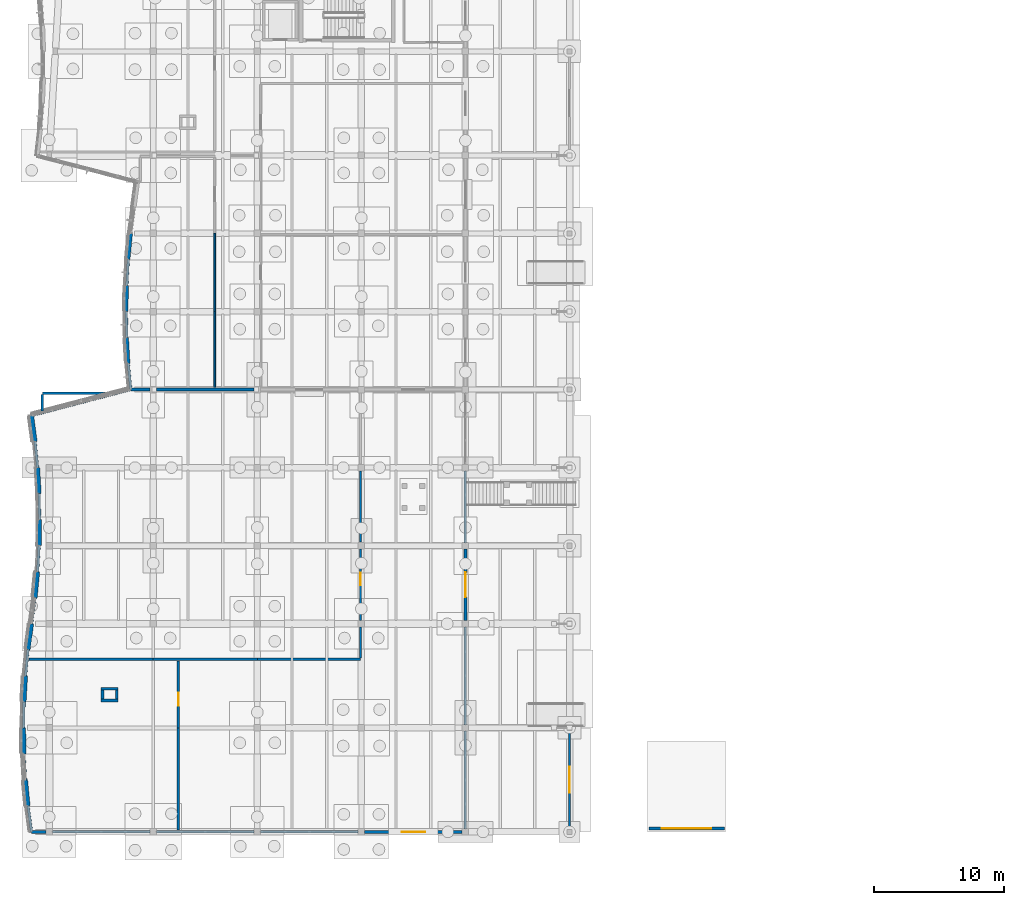
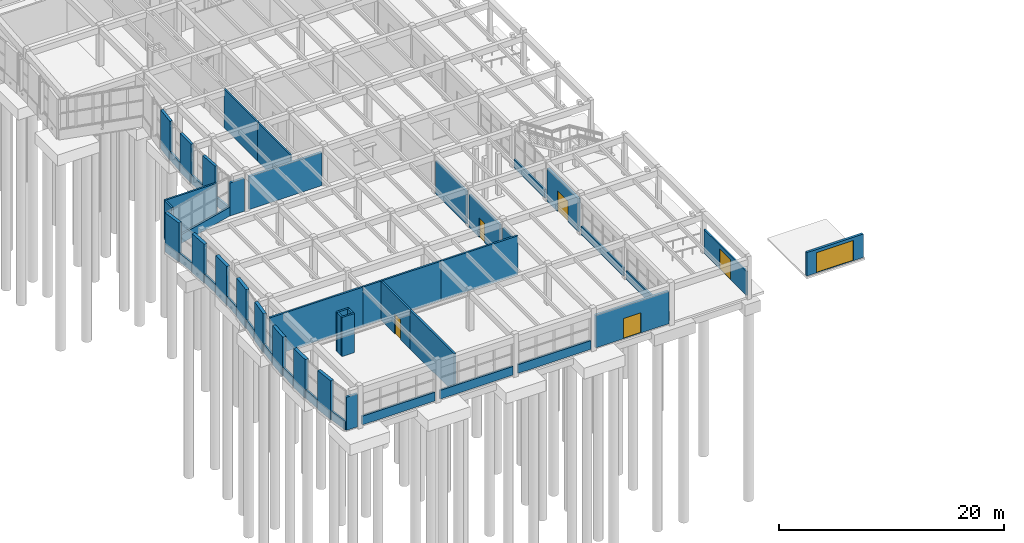
# One storey, part 61 of 99: 52 walls, 6 doors, 6 openings.
"""IFC4 building model written with IfcOpenShell, lengths in metres."""

from ifc_helpers import new_model, si_unit, direction, frame, frame_2d, origin, place, context, subcontext, project, spatial, rectangle, extrude, material, layer, layer_set, type_object, element, fill, save


model = new_model("IFC4")

# Units and contexts
model_context = context("Model", 3, precision=1e-05, world=origin(), true_north=direction((0.0, 1.0)))
body_context = subcontext(model_context, "Body", "Model", "MODEL_VIEW")
ifc_project = project(units=[si_unit("LENGTHUNIT", "METRE"), si_unit("AREAUNIT", "SQUARE_METRE"), si_unit("VOLUMEUNIT", "CUBIC_METRE"), si_unit("PLANEANGLEUNIT", "RADIAN"), si_unit("MASSUNIT", "GRAM", prefix="KILO")], contexts=[model_context])

# Site, building, storey
site_placement = place(None, origin())
site = spatial("IfcSite", under=ifc_project, at=site_placement, CompositionType="ELEMENT")
building_placement = place(site_placement, origin())
building = spatial("IfcBuilding", under=site, at=building_placement, Name="Tonlespit Floodbar School", CompositionType="ELEMENT")
storey_placement = place(building_placement, origin())
storey = spatial("IfcBuildingStorey", under=building, at=storey_placement, Name="L00", CompositionType="ELEMENT", Elevation=0.0)

# Walls
ifc_material_1 = material(Name="Concrete C40/50", Category="concrete")
ifc_layer_1 = layer(ifc_material_1, 0.320068359375)
ifc_layer_set_1 = layer_set([ifc_layer_1], Name="Concrete C40/50")
wall_type_1 = type_object("IfcWallType", Name="ExtWall_Podium_RC_320", PredefinedType="SOLIDWALL", material=ifc_layer_set_1)
wall_1_placement = place(storey_placement, frame((2.378173828125, 6.0, 0.0), z_axis=(0.0, 0.0, 1.0), x_axis=(-0.096110619057, 0.995370659053, 0.0)))
element("IfcWall", 1, at=wall_1_placement, inside=storey, type_object=wall_type_1, Name="L00 external wall 0686", PredefinedType="SOLIDWALL", context=body_context, shape_type="SweptSolid", body=[
    extrude(rectangle(XDim=2.00927734375, YDim=0.320068359375, at=frame_2d((1.004638671875, 0.0))), origin(), (0.0, 0.0, 1.0), 4.239990234375),
])
wall_2_placement = place(storey_placement, frame((2.0693359375, 10.0, 0.0), z_axis=(0.0, 0.0, 1.0), x_axis=(-0.019161520385, 0.999816401214, 0.0)))
element("IfcWall", 2, at=wall_2_placement, inside=storey, type_object=wall_type_1, Name="L00 external wall 0688", PredefinedType="SOLIDWALL", context=body_context, shape_type="SweptSolid", body=[
    extrude(rectangle(XDim=2.00048828125, YDim=0.320068359375, at=frame_2d((1.000244140625, 0.0))), origin(), (0.0, 0.0, 1.0), 4.239990234375),
])
wall_3_placement = place(storey_placement, frame((2.0693359375, 14.0, 0.0), z_axis=(0.0, 0.0, 1.0), x_axis=(0.05776471272, 0.998330224908, 0.0)))
element("IfcWall", 3, at=wall_3_placement, inside=storey, type_object=wall_type_1, Name="L00 external wall 0690", PredefinedType="SOLIDWALL", context=body_context, shape_type="SweptSolid", body=[
    extrude(rectangle(XDim=2.00341796875, YDim=0.320068359375, at=frame_2d((1.001708984375, 0.0))), origin(), (0.0, 0.0, 1.0), 4.239990234375),
])
wall_4_placement = place(storey_placement, frame((2.378173828125, 18.0, 0.0), z_axis=(0.0, 0.0, 1.0), x_axis=(0.134627389588, 0.990896294257, 0.0)))
element("IfcWall", 4, at=wall_4_placement, inside=storey, type_object=wall_type_1, Name="L00 external wall 0692", PredefinedType="SOLIDWALL", context=body_context, shape_type="SweptSolid", body=[
    extrude(rectangle(XDim=2.018310546875, YDim=0.320068359375, at=frame_2d((1.00927734375, 0.0))), origin(), (0.0, 0.0, 1.0), 4.239990234375),
])
wall_5_placement = place(storey_placement, frame((2.921875, 22.0, 0.0), z_axis=(0.0, 0.0, 1.0), x_axis=(0.096110619057, 0.995370659053, 0.0)))
element("IfcWall", 5, at=wall_5_placement, inside=storey, type_object=wall_type_1, Name="L00 external wall 0694", PredefinedType="SOLIDWALL", context=body_context, shape_type="SweptSolid", body=[
    extrude(rectangle(XDim=2.00927734375, YDim=0.320068359375, at=frame_2d((1.004638671875, 0.0))), origin(), (0.0, 0.0, 1.0), 4.239990234375),
])
wall_6_placement = place(storey_placement, frame((3.230712890625, 26.0, 0.0), z_axis=(0.0, 0.0, 1.0), x_axis=(0.019161520385, 0.999816401214, 0.0)))
element("IfcWall", 6, at=wall_6_placement, inside=storey, type_object=wall_type_1, Name="L00 external wall 0696", PredefinedType="SOLIDWALL", context=body_context, shape_type="SweptSolid", body=[
    extrude(rectangle(XDim=2.00048828125, YDim=0.320068359375, at=frame_2d((1.000244140625, 0.0))), origin(), (0.0, 0.0, 1.0), 4.239990234375),
])
wall_7_placement = place(storey_placement, frame((3.230712890625, 30.0, 0.0), z_axis=(0.0, 0.0, 1.0), x_axis=(-0.05776471272, 0.998330224908, 0.0)))
element("IfcWall", 7, at=wall_7_placement, inside=storey, type_object=wall_type_1, Name="L00 external wall 0698", PredefinedType="SOLIDWALL", context=body_context, shape_type="SweptSolid", body=[
    extrude(rectangle(XDim=2.00341796875, YDim=0.320068359375, at=frame_2d((1.001708984375, 0.0))), origin(), (0.0, 0.0, 1.0), 4.239990234375),
])
wall_8_placement = place(storey_placement, frame((2.921875, 34.0, 0.0), z_axis=(0.0, 0.0, 1.0), x_axis=(-0.134746153381, 0.990880151254, 0.0)))
element("IfcWall", 8, at=wall_8_placement, inside=storey, type_object=wall_type_1, Name="L00 external wall 0700", PredefinedType="SOLIDWALL", context=body_context, shape_type="SweptSolid", body=[
    extrude(rectangle(XDim=2.018310546875, YDim=0.320068359375, at=frame_2d((1.00927734375, 0.0))), origin(), (0.0, 0.0, 1.0), 4.239990234375),
])
ifc_material_2 = material(Name="Precast concrete C40/50", Category="concrete")
ifc_layer_2 = layer(ifc_material_2, 0.239990234375)
ifc_layer_set_2 = layer_set([ifc_layer_2], Name="Precast concrete C40/50")
wall_type_2 = type_object("IfcWallType", Name="ExtWall_Rainscreen_240", PredefinedType="SOLIDWALL", material=ifc_layer_set_2)
wall_9_placement = place(storey_placement, frame((19.75, 38.0, 0.0), z_axis=(0.0, 0.0, 1.0), x_axis=(-1.0, 0.0, 0.0)))
element("IfcWall", 9, at=wall_9_placement, inside=storey, type_object=wall_type_2, Name="L00 external wall 0333", PredefinedType="SOLIDWALL", context=body_context, shape_type="SweptSolid", body=[
    extrude(rectangle(XDim=7.5, YDim=0.239990234375, at=frame_2d((3.75, 0.0))), origin(), (0.0, 0.0, 1.0), 3.590087890625),
])
wall_10_placement = place(storey_placement, frame((11.75, 38.0, 0.0), z_axis=(0.0, 0.0, 1.0), x_axis=(-1.0, 0.0, 0.0)))
element("IfcWall", 10, at=wall_10_placement, inside=storey, type_object=wall_type_2, Name="L00 external wall 0334", PredefinedType="SOLIDWALL", context=body_context, shape_type="SweptSolid", body=[
    extrude(rectangle(XDim=1.4716796875, YDim=0.239990234375, at=frame_2d((0.73583984375, 0.0))), origin(), (0.0, 0.0, 1.0), 3.590087890625),
])

# Wall, opening, door
wall_11_placement = place(storey_placement, frame((35.75, 4.0, 0.0), z_axis=(0.0, 0.0, 1.0), x_axis=(-1.0, 0.0, 0.0)))
wall_11 = element("IfcWall", 11, at=wall_11_placement, inside=storey, type_object=wall_type_2, Name="L00 external wall 0702", PredefinedType="SOLIDWALL", context=body_context, shape_type="SweptSolid", body=[
    extrude(rectangle(XDim=7.5, YDim=0.239990234375, at=frame_2d((3.75, 0.0))), origin(), (0.0, 0.0, 1.0), 3.5400390625),
])
opening_1_placement = place(wall_11_placement, frame((2.85009765625, 0.0, 0.0)))
opening_1 = element("IfcOpeningElement", 12, at=opening_1_placement, cuts=wall_11, Name="Opening D-EX-037", PredefinedType="OPENING", context=body_context, shape_type="SweptSolid", body=[
    extrude(rectangle(XDim=1.800048828125, YDim=2.199951171875, at=frame_2d((0.89990234375, 1.10009765625))), frame((0.0, 0.1298828125, 0.0), z_axis=(0.0, -1.0, 0.0), x_axis=(1.0, 0.0, 0.0)), (0.0, 0.0, 1.0), 0.260009765625),
])
ifc_material_3 = material(Name="Anodised Aluminium", Category="aluminium")
door_type_1 = type_object("IfcDoorType", Name="ExtDoor_Exit_1800x2200", OperationType="NOTDEFINED", PredefinedType="DOOR", material=ifc_material_3)
door_1_placement = place(opening_1_placement, origin())
door_1 = element("IfcDoor", 13, at=door_1_placement, inside=storey, type_object=door_type_1, Name="Final exit door D-EX-037", OperationType="SINGLE_SWING_LEFT", OverallHeight=2.199951171875, OverallWidth=1.800048828125, PredefinedType="DOOR", context=body_context, shape_type="SweptSolid", body=[
    extrude(rectangle(XDim=1.800048828125, YDim=2.199951171875, at=frame_2d((0.89990234375, 1.10009765625))), frame((0.0, 0.02490234375, 0.0), z_axis=(0.0, -1.0, 0.0), x_axis=(1.0, 0.0, 0.0)), (0.0, 0.0, 1.0), 0.050048828125),
])
fill(opening_1, door_1)

# Wall
wall_12_placement = place(storey_placement, frame((3.75, 4.0, 0.0), z_axis=(0.0, 0.0, 1.0), x_axis=(-1.0, 0.0, 0.0)))
element("IfcWall", 14, at=wall_12_placement, inside=storey, type_object=wall_type_2, Name="L00 external wall 0706", PredefinedType="SOLIDWALL", context=body_context, shape_type="SweptSolid", body=[
    extrude(rectangle(XDim=1.10009765625, YDim=0.239990234375, at=frame_2d((0.550048828125, 0.0))), origin(), (0.0, 0.0, 1.0), 3.590087890625),
])

# Wall, opening, door
wall_13_placement = place(storey_placement, frame((36.0, 25.75, 0.0), z_axis=(0.0, 0.0, 1.0), x_axis=(0.0, -1.0, 0.0)))
wall_13 = element("IfcWall", 15, at=wall_13_placement, inside=storey, type_object=wall_type_2, Name="L00 external wall 0709", PredefinedType="SOLIDWALL", context=body_context, shape_type="SweptSolid", body=[
    extrude(rectangle(XDim=5.5, YDim=0.239990234375, at=frame_2d((2.75, 0.0))), origin(), (0.0, 0.0, 1.0), 3.590087890625),
])
opening_2_placement = place(wall_13_placement, frame((1.800048828125, 0.0, 0.0)))
opening_2 = element("IfcOpeningElement", 16, at=opening_2_placement, cuts=wall_13, Name="Opening D-EX-038", PredefinedType="OPENING", context=body_context, shape_type="SweptSolid", body=[
    extrude(rectangle(XDim=1.89990234375, YDim=2.25, at=frame_2d((0.949951171875, 1.125))), frame((0.0, 0.1298828125, 0.0), z_axis=(0.0, -1.0, 0.0), x_axis=(1.0, 0.0, 0.0)), (0.0, 0.0, 1.0), 0.260009765625),
])
door_type_2 = type_object("IfcDoorType", Name="ExtDoor_Exit_1900x2250", OperationType="NOTDEFINED", PredefinedType="DOOR", material=ifc_material_3)
door_2_placement = place(opening_2_placement, origin())
door_2 = element("IfcDoor", 17, at=door_2_placement, inside=storey, type_object=door_type_2, Name="Final exit door D-EX-038", OperationType="SINGLE_SWING_RIGHT", OverallHeight=2.25, OverallWidth=1.89990234375, PredefinedType="DOOR", context=body_context, shape_type="SweptSolid", body=[
    extrude(rectangle(XDim=1.89990234375, YDim=2.25, at=frame_2d((0.949951171875, 1.125))), frame((0.0, 0.02490234375, 0.0), z_axis=(0.0, -1.0, 0.0), x_axis=(1.0, 0.0, 0.0)), (0.0, 0.0, 1.0), 0.050048828125),
])
fill(opening_2, door_2)

wall_14_placement = place(storey_placement, frame((50.10009765625, 4.25, 0.0), z_axis=(0.0, 0.0, 1.0), x_axis=(1.0, 0.0, 0.0)))
wall_14 = element("IfcWall", 18, at=wall_14_placement, inside=storey, type_object=wall_type_2, Name="L00 forecourt car park vehicle entrance gate wall", PredefinedType="SOLIDWALL", context=body_context, shape_type="SweptSolid", body=[
    extrude(rectangle(XDim=5.7998046875, YDim=0.239990234375, at=frame_2d((2.89990234375, 0.0))), origin(), (0.0, 0.0, 1.0), 2.550048828125),
])
opening_3_placement = place(wall_14_placement, frame((1.0, 0.0, 0.0)))
opening_3 = element("IfcOpeningElement", 19, at=opening_3_placement, cuts=wall_14, Name="Opening DG-VEH1", PredefinedType="OPENING", context=body_context, shape_type="SweptSolid", body=[
    extrude(rectangle(XDim=3.800048828125, YDim=2.199951171875, at=frame_2d((1.89990234375, 1.10009765625))), frame((0.0, 0.1298828125, 0.0), z_axis=(0.0, -1.0, 0.0), x_axis=(1.0, 0.0, 0.0)), (0.0, 0.0, 1.0), 0.260009765625),
])
ifc_material_4 = material(Name="Galvanised Steel", Category="steel")
door_type_3 = type_object("IfcDoorType", Name="Gate_Vehicle_3800x2200", OperationType="DOUBLE_DOOR_SINGLE_SWING", PredefinedType="GATE", material=ifc_material_4)
door_3_placement = place(opening_3_placement, origin())
door_3 = element("IfcDoor", 20, at=door_3_placement, inside=storey, type_object=door_type_3, Name="L00 forecourt car park vehicle entrance gate", OperationType="DOUBLE_DOOR_SINGLE_SWING", OverallHeight=2.199951171875, OverallWidth=3.800048828125, PredefinedType="GATE", context=body_context, shape_type="SweptSolid", body=[
    extrude(rectangle(XDim=3.800048828125, YDim=2.199951171875, at=frame_2d((1.89990234375, 1.10009765625))), frame((0.0, 0.02490234375, 0.0), z_axis=(0.0, -1.0, 0.0), x_axis=(1.0, 0.0, 0.0)), (0.0, 0.0, 1.0), 0.050048828125),
])
fill(opening_3, door_3)

# Walls
ifc_layer_3 = layer(ifc_material_2, 0.260009765625)
ifc_layer_set_3 = layer_set([ifc_layer_3], Name="Precast concrete C40/50")
wall_type_3 = type_object("IfcWallType", Name="ExtWall_Rainscreen_260", PredefinedType="SOLIDWALL", material=ifc_layer_set_3)
wall_15_placement = place(storey_placement, frame((10.0849609375, 40.0, 0.0), z_axis=(0.0, 0.0, 1.0), x_axis=(-0.057643251596, 0.998337245396, 0.0)))
element("IfcWall", 21, at=wall_15_placement, inside=storey, type_object=wall_type_3, Name="L00 external wall 0291", PredefinedType="SOLIDWALL", context=body_context, shape_type="SweptSolid", body=[
    extrude(rectangle(XDim=2.00341796875, YDim=0.260009765625, at=frame_2d((1.001708984375, 0.0))), origin(), (0.0, 0.0, 1.0), 4.239990234375),
])
wall_16_placement = place(storey_placement, frame((9.930908203125, 44.0, 0.0), z_axis=(0.0, 0.0, 1.0), x_axis=(0.019283523045, 0.999814055582, 0.0)))
element("IfcWall", 22, at=wall_16_placement, inside=storey, type_object=wall_type_3, Name="L00 external wall 0293", PredefinedType="SOLIDWALL", context=body_context, shape_type="SweptSolid", body=[
    extrude(rectangle(XDim=2.00048828125, YDim=0.260009765625, at=frame_2d((1.000244140625, 0.0))), origin(), (0.0, 0.0, 1.0), 4.239990234375),
])
wall_17_placement = place(storey_placement, frame((10.0849609375, 48.0, 0.0), z_axis=(0.0, 0.0, 1.0), x_axis=(0.09623099978, 0.99535902803, 0.0)))
element("IfcWall", 23, at=wall_17_placement, inside=storey, type_object=wall_type_3, Name="L00 external wall 0295", PredefinedType="SOLIDWALL", context=body_context, shape_type="SweptSolid", body=[
    extrude(rectangle(XDim=2.00927734375, YDim=0.260009765625, at=frame_2d((1.004638671875, 0.0))), origin(), (0.0, 0.0, 1.0), 4.239990234375),
])

# Wall, opening, door
ifc_layer_4 = layer(ifc_material_2, 0.1650390625)
ifc_layer_set_4 = layer_set([ifc_layer_4], Name="Precast concrete C40/50")
wall_type_4 = type_object("IfcWallType", Name="ExtWall_Screen_165", PredefinedType="SOLIDWALL", material=ifc_layer_set_4)
wall_18_placement = place(storey_placement, frame((44.0, 4.199951171875, 0.0), z_axis=(0.0, 0.0, 1.0), x_axis=(0.0, 1.0, 0.0)))
wall_18 = element("IfcWall", 24, at=wall_18_placement, inside=storey, type_object=wall_type_4, Name="L00 external wall 0757", PredefinedType="SOLIDWALL", context=body_context, shape_type="SweptSolid", body=[
    extrude(rectangle(XDim=7.60009765625, YDim=0.1650390625, at=frame_2d((3.800048828125, 0.0))), origin(), (0.0, 0.0, 1.0), 2.60009765625),
])
opening_4_placement = place(wall_18_placement, frame((2.800048828125, 0.0, 0.0)))
opening_4 = element("IfcOpeningElement", 25, at=opening_4_placement, cuts=wall_18, Name="Opening DG-42", PredefinedType="OPENING", context=body_context, shape_type="SweptSolid", body=[
    extrude(rectangle(XDim=2.0, YDim=2.199951171875, at=frame_2d((1.0, 1.10009765625))), frame((0.0, 0.092529296875, 0.0), z_axis=(0.0, -1.0, 0.0), x_axis=(1.0, 0.0, 0.0)), (0.0, 0.0, 1.0), 0.18505859375),
])
door_type_4 = type_object("IfcDoorType", Name="CourtGate_2000x2200", OperationType="DOUBLE_DOOR_SINGLE_SWING", PredefinedType="GATE", material=ifc_material_4)
door_4_placement = place(opening_4_placement, origin())
door_4 = element("IfcDoor", 26, at=door_4_placement, inside=storey, type_object=door_type_4, Name="L00 exterior door DG-42", OperationType="DOUBLE_DOOR_SINGLE_SWING", OverallHeight=2.199951171875, OverallWidth=2.0, PredefinedType="GATE", context=body_context, shape_type="SweptSolid", body=[
    extrude(rectangle(XDim=2.0, YDim=2.199951171875, at=frame_2d((1.0, 1.10009765625))), frame((0.0, 0.02490234375, 0.0), z_axis=(0.0, -1.0, 0.0), x_axis=(1.0, 0.0, 0.0)), (0.0, 0.0, 1.0), 0.050048828125),
])
fill(opening_4, door_4)

# Walls
ifc_material_5 = material(Name="White Architectural Precast concrete C40/50", Category="concrete")
ifc_layer_5 = layer(ifc_material_5, 0.18505859375)
ifc_layer_set_5 = layer_set([ifc_layer_5], Name="White Architectural Precast concrete C40/50")
wall_type_5 = type_object("IfcWallType", Name="ExtWall_Spandrel_White_185", PredefinedType="SOLIDWALL", material=ifc_layer_set_5)
for number, where, z_axis, x_axis, name in (
    (27, (27.75, 4.0, 0.0), (0.0, 0.0, 1.0), (-1.0, 0.0, 0.0), "L00 spandrel wall 0703"),
    (28, (19.75, 4.0, 0.0), (0.0, 0.0, 1.0), (-1.0, 0.0, 0.0), "L00 spandrel wall 0704"),
    (29, (11.75, 4.0, 0.0), (0.0, 0.0, 1.0), (-1.0, 0.0, 0.0), "L00 spandrel wall 0705"),
):
    element("IfcWall", number, at=place(storey_placement, frame(where, z_axis=z_axis, x_axis=x_axis)), inside=storey, type_object=wall_type_5, Name=name, PredefinedType="SOLIDWALL", context=body_context, shape_type="SweptSolid", body=[
        extrude(rectangle(XDim=7.5, YDim=0.18505859375, at=frame_2d((3.75, 0.0))), origin(), (0.0, 0.0, 1.0), 0.949951171875),
    ])
wall_19_placement = place(storey_placement, frame((36.0, 31.75, 0.0), z_axis=(0.0, 0.0, 1.0), x_axis=(0.0, -1.0, 0.0)))
element("IfcWall", 30, at=wall_19_placement, inside=storey, type_object=wall_type_5, Name="L00 spandrel wall 0708", PredefinedType="SOLIDWALL", context=body_context, shape_type="SweptSolid", body=[
    extrude(rectangle(XDim=5.5, YDim=0.18505859375, at=frame_2d((2.75, 0.0))), origin(), (0.0, 0.0, 1.0), 0.949951171875),
])
for number, where, z_axis, x_axis, name in (
    (31, (36.0, 19.75, 0.0), (0.0, 0.0, 1.0), (0.0, -1.0, 0.0), "L00 spandrel wall 0710"),
    (32, (36.0, 11.75, 0.0), (0.0, 0.0, 1.0), (0.0, -1.0, 0.0), "L00 spandrel wall 0711"),
):
    element("IfcWall", number, at=place(storey_placement, frame(where, z_axis=z_axis, x_axis=x_axis)), inside=storey, type_object=wall_type_5, Name=name, PredefinedType="SOLIDWALL", context=body_context, shape_type="SweptSolid", body=[
        extrude(rectangle(XDim=7.5, YDim=0.18505859375, at=frame_2d((3.75, 0.0))), origin(), (0.0, 0.0, 1.0), 0.949951171875),
    ])
ifc_layer_6 = layer(ifc_material_5, 0.199951171875)
ifc_layer_set_6 = layer_set([ifc_layer_6], Name="White Architectural Precast concrete C40/50")
wall_type_6 = type_object("IfcWallType", Name="ExtWall_Spandrel_White_200", PredefinedType="SOLIDWALL", material=ifc_layer_set_6)
wall_20_placement = place(storey_placement, frame((10.2783203125, 38.0, 0.0), z_axis=(0.0, 0.0, 1.0), x_axis=(-0.09623099978, 0.99535902803, 0.0)))
element("IfcWall", 33, at=wall_20_placement, inside=storey, type_object=wall_type_6, Name="L00 spandrel wall 0290", PredefinedType="SOLIDWALL", context=body_context, shape_type="SweptSolid", body=[
    extrude(rectangle(XDim=2.00927734375, YDim=0.199951171875, at=frame_2d((1.004638671875, 0.0))), origin(), (0.0, 0.0, 1.0), 0.949951171875),
])
wall_21_placement = place(storey_placement, frame((9.969482421875, 42.0, 0.0), z_axis=(0.0, 0.0, 1.0), x_axis=(-0.019283523045, 0.999814055582, 0.0)))
element("IfcWall", 34, at=wall_21_placement, inside=storey, type_object=wall_type_6, Name="L00 spandrel wall 0292", PredefinedType="SOLIDWALL", context=body_context, shape_type="SweptSolid", body=[
    extrude(rectangle(XDim=2.00048828125, YDim=0.199951171875, at=frame_2d((1.000244140625, 0.0))), origin(), (0.0, 0.0, 1.0), 0.949951171875),
])
wall_22_placement = place(storey_placement, frame((9.969482421875, 46.0, 0.0), z_axis=(0.0, 0.0, 1.0), x_axis=(0.057643251596, 0.998337245396, 0.0)))
element("IfcWall", 35, at=wall_22_placement, inside=storey, type_object=wall_type_6, Name="L00 spandrel wall 0294", PredefinedType="SOLIDWALL", context=body_context, shape_type="SweptSolid", body=[
    extrude(rectangle(XDim=2.00341796875, YDim=0.199951171875, at=frame_2d((1.001708984375, 0.0))), origin(), (0.0, 0.0, 1.0), 0.949951171875),
])
wall_23_placement = place(storey_placement, frame((2.64990234375, 4.0, 0.0), z_axis=(0.0, 0.0, 1.0), x_axis=(-0.134627389588, 0.990896294257, 0.0)))
element("IfcWall", 36, at=wall_23_placement, inside=storey, type_object=wall_type_6, Name="L00 spandrel wall 0685", PredefinedType="SOLIDWALL", context=body_context, shape_type="SweptSolid", body=[
    extrude(rectangle(XDim=2.018310546875, YDim=0.199951171875, at=frame_2d((1.00927734375, 0.0))), origin(), (0.0, 0.0, 1.0), 0.949951171875),
])
wall_24_placement = place(storey_placement, frame((2.18505859375, 8.0, 0.0), z_axis=(0.0, 0.0, 1.0), x_axis=(-0.05776471272, 0.998330224908, 0.0)))
element("IfcWall", 37, at=wall_24_placement, inside=storey, type_object=wall_type_6, Name="L00 spandrel wall 0687", PredefinedType="SOLIDWALL", context=body_context, shape_type="SweptSolid", body=[
    extrude(rectangle(XDim=2.00341796875, YDim=0.199951171875, at=frame_2d((1.001708984375, 0.0))), origin(), (0.0, 0.0, 1.0), 0.949951171875),
])
wall_25_placement = place(storey_placement, frame((2.031005859375, 12.0, 0.0), z_axis=(0.0, 0.0, 1.0), x_axis=(0.019161520385, 0.999816401214, 0.0)))
element("IfcWall", 38, at=wall_25_placement, inside=storey, type_object=wall_type_6, Name="L00 spandrel wall 0689", PredefinedType="SOLIDWALL", context=body_context, shape_type="SweptSolid", body=[
    extrude(rectangle(XDim=2.00048828125, YDim=0.199951171875, at=frame_2d((1.000244140625, 0.0))), origin(), (0.0, 0.0, 1.0), 0.949951171875),
])
wall_26_placement = place(storey_placement, frame((2.18505859375, 16.0, 0.0), z_axis=(0.0, 0.0, 1.0), x_axis=(0.096110619057, 0.995370659053, 0.0)))
element("IfcWall", 39, at=wall_26_placement, inside=storey, type_object=wall_type_6, Name="L00 spandrel wall 0691", PredefinedType="SOLIDWALL", context=body_context, shape_type="SweptSolid", body=[
    extrude(rectangle(XDim=2.00927734375, YDim=0.199951171875, at=frame_2d((1.004638671875, 0.0))), origin(), (0.0, 0.0, 1.0), 0.949951171875),
])
wall_27_placement = place(storey_placement, frame((2.64990234375, 20.0, 0.0), z_axis=(0.0, 0.0, 1.0), x_axis=(0.134746153381, 0.990880151254, 0.0)))
element("IfcWall", 40, at=wall_27_placement, inside=storey, type_object=wall_type_6, Name="L00 spandrel wall 0693", PredefinedType="SOLIDWALL", context=body_context, shape_type="SweptSolid", body=[
    extrude(rectangle(XDim=2.018310546875, YDim=0.199951171875, at=frame_2d((1.00927734375, 0.0))), origin(), (0.0, 0.0, 1.0), 0.949951171875),
])
wall_28_placement = place(storey_placement, frame((3.114990234375, 24.0, 0.0), z_axis=(0.0, 0.0, 1.0), x_axis=(0.05776471272, 0.998330224908, 0.0)))
element("IfcWall", 41, at=wall_28_placement, inside=storey, type_object=wall_type_6, Name="L00 spandrel wall 0695", PredefinedType="SOLIDWALL", context=body_context, shape_type="SweptSolid", body=[
    extrude(rectangle(XDim=2.00341796875, YDim=0.199951171875, at=frame_2d((1.001708984375, 0.0))), origin(), (0.0, 0.0, 1.0), 0.949951171875),
])
wall_29_placement = place(storey_placement, frame((3.26904296875, 28.0, 0.0), z_axis=(0.0, 0.0, 1.0), x_axis=(-0.019161520385, 0.999816401214, 0.0)))
element("IfcWall", 42, at=wall_29_placement, inside=storey, type_object=wall_type_6, Name="L00 spandrel wall 0697", PredefinedType="SOLIDWALL", context=body_context, shape_type="SweptSolid", body=[
    extrude(rectangle(XDim=2.00048828125, YDim=0.199951171875, at=frame_2d((1.000244140625, 0.0))), origin(), (0.0, 0.0, 1.0), 0.949951171875),
])
wall_30_placement = place(storey_placement, frame((3.114990234375, 32.0, 0.0), z_axis=(0.0, 0.0, 1.0), x_axis=(-0.096110619057, 0.995370659053, 0.0)))
element("IfcWall", 43, at=wall_30_placement, inside=storey, type_object=wall_type_6, Name="L00 spandrel wall 0699", PredefinedType="SOLIDWALL", context=body_context, shape_type="SweptSolid", body=[
    extrude(rectangle(XDim=2.00927734375, YDim=0.199951171875, at=frame_2d((1.004638671875, 0.0))), origin(), (0.0, 0.0, 1.0), 0.949951171875),
])
wall_31_placement = place(storey_placement, frame((2.64990234375, 36.0, 0.0), z_axis=(0.0, 0.0, 1.0), x_axis=(0.967307517152, 0.253606323386, 0.0)))
element("IfcWall", 44, at=wall_31_placement, inside=storey, type_object=wall_type_6, Name="L00 spandrel wall 0701", PredefinedType="SOLIDWALL", context=body_context, shape_type="SweptSolid", body=[
    extrude(rectangle(XDim=7.88623046875, YDim=0.199951171875, at=frame_2d((3.943115234375, 0.0))), origin(), (0.0, 0.0, 1.0), 0.949951171875),
])
ifc_layer_7 = layer(ifc_material_1, 0.199951171875)
ifc_layer_set_7 = layer_set([ifc_layer_7], Name="Concrete C40/50")
wall_type_7 = type_object("IfcWallType", Name="FireWall_Plant_200", PredefinedType="PARTITIONING", material=ifc_layer_set_7)
for number, where, z_axis, x_axis, name in (
    (45, (9.300048828125, 14.10009765625, 0.0), (0.0, 0.0, 1.0), (-1.0, 0.0, 0.0), "L00 service riser 06 wall S"),
    (46, (8.0, 15.0, 0.0), (0.0, 0.0, 1.0), (1.0, 0.0, 0.0), "L00 service riser 06 wall N"),
):
    element("IfcWall", number, at=place(storey_placement, frame(where, z_axis=z_axis, x_axis=x_axis)), inside=storey, type_object=wall_type_7, Name=name, PredefinedType="PARTITIONING", context=body_context, shape_type="SweptSolid", body=[
        extrude(rectangle(XDim=1.300048828125, YDim=0.199951171875, at=frame_2d((0.64990234375, 0.0))), origin(), (0.0, 0.0, 1.0), 4.239990234375),
    ])
for number, where, z_axis, x_axis, name in (
    (47, (8.10009765625, 14.199951171875, 0.0), (0.0, 0.0, 1.0), (0.0, 1.0, 0.0), "L00 service riser 06 wall W"),
    (48, (9.199951171875, 14.89990234375, 0.0), (0.0, 0.0, 1.0), (0.0, -1.0, 0.0), "L00 service riser 06 wall E"),
):
    element("IfcWall", number, at=place(storey_placement, frame(where, z_axis=z_axis, x_axis=x_axis)), inside=storey, type_object=wall_type_7, Name=name, PredefinedType="PARTITIONING", context=body_context, shape_type="SweptSolid", body=[
        extrude(rectangle(XDim=0.699951171875, YDim=0.199951171875, at=frame_2d((0.35009765625, 0.0))), origin(), (0.0, 0.0, 1.0), 4.239990234375),
    ])
wall_32_placement = place(storey_placement, frame((13.929931640625, 4.134521484375, 0.0), z_axis=(0.0, 0.0, 1.0), x_axis=(0.0, 1.0, 0.0)))
element("IfcWall", 49, at=wall_32_placement, inside=storey, type_object=wall_type_7, Name="L00 partition wall 0443", PredefinedType="PARTITIONING", context=body_context, shape_type="SweptSolid", body=[
    extrude(rectangle(XDim=7.865478515625, YDim=0.199951171875, at=frame_2d((3.9326171875, 0.0))), origin(), (0.0, 0.0, 1.0), 4.239990234375),
])

# Wall, opening, door
wall_33_placement = place(storey_placement, frame((13.929931640625, 12.0, 0.0), z_axis=(0.0, 0.0, 1.0), x_axis=(0.0, 1.0, 0.0)))
wall_33 = element("IfcWall", 50, at=wall_33_placement, inside=storey, type_object=wall_type_7, Name="L00 partition wall 0444", PredefinedType="PARTITIONING", context=body_context, shape_type="SweptSolid", body=[
    extrude(rectangle(XDim=5.1298828125, YDim=0.199951171875, at=frame_2d((2.56494140625, 0.0))), origin(), (0.0, 0.0, 1.0), 4.239990234375),
])
opening_5_placement = place(wall_33_placement, frame((1.699951171875, 0.0, 0.0)))
opening_5 = element("IfcOpeningElement", 51, at=opening_5_placement, cuts=wall_33, Name="Opening D-L00-120", PredefinedType="OPENING", context=body_context, shape_type="SweptSolid", body=[
    extrude(rectangle(XDim=1.0, YDim=2.14990234375, at=frame_2d((0.5, 1.074951171875))), frame((0.0, 0.10986328125, 0.0), z_axis=(0.0, -1.0, 0.0), x_axis=(1.0, 0.0, 0.0)), (0.0, 0.0, 1.0), 0.219970703125),
])
ifc_material_6 = material(Name="Hardwood Timber", Category="wood")
door_type_5 = type_object("IfcDoorType", Name="FireDoor_Compartment_1000x2150", OperationType="NOTDEFINED", PredefinedType="DOOR", material=ifc_material_6)
door_5_placement = place(opening_5_placement, origin())
door_5 = element("IfcDoor", 52, at=door_5_placement, inside=storey, type_object=door_type_5, Name="L00 interior door D-L00-120", OperationType="SINGLE_SWING_LEFT", OverallHeight=2.14990234375, OverallWidth=1.0, PredefinedType="DOOR", context=body_context, shape_type="SweptSolid", body=[
    extrude(rectangle(XDim=1.0, YDim=2.14990234375, at=frame_2d((0.5, 1.074951171875))), frame((0.0, 0.02490234375, 0.0), z_axis=(0.0, -1.0, 0.0), x_axis=(1.0, 0.0, 0.0)), (0.0, 0.0, 1.0), 0.050048828125),
])
fill(opening_5, door_5)

# Walls
ifc_material_7 = material(Name="Gypsum Plasterboard Partition")
ifc_layer_8 = layer(ifc_material_7, 0.14990234375)
ifc_layer_set_8 = layer_set([ifc_layer_8], Name="Gypsum Plasterboard Partition")
wall_type_8 = type_object("IfcWallType", Name="Partition_Gyp_150", PredefinedType="PARTITIONING", material=ifc_layer_set_8)
wall_34_placement = place(storey_placement, frame((16.72998046875, 38.162109375, 0.0), z_axis=(0.0, 0.0, 1.0), x_axis=(0.0, 1.0, 0.0)))
element("IfcWall", 53, at=wall_34_placement, inside=storey, type_object=wall_type_8, Name="L00 partition wall 0181", PredefinedType="PARTITIONING", context=body_context, shape_type="SweptSolid", body=[
    extrude(rectangle(XDim=5.837890625, YDim=0.14990234375, at=frame_2d((2.9189453125, 0.0))), origin(), (0.0, 0.0, 1.0), 4.239990234375),
])
wall_35_placement = place(storey_placement, frame((16.72998046875, 44.0, 0.0), z_axis=(0.0, 0.0, 1.0), x_axis=(0.0, 1.0, 0.0)))
element("IfcWall", 54, at=wall_35_placement, inside=storey, type_object=wall_type_8, Name="L00 partition wall 0182", PredefinedType="PARTITIONING", context=body_context, shape_type="SweptSolid", body=[
    extrude(rectangle(XDim=6.0, YDim=0.14990234375, at=frame_2d((3.0, 0.0))), origin(), (0.0, 0.0, 1.0), 4.239990234375),
])
ifc_layer_9 = layer(ifc_material_7, 0.18505859375)
ifc_layer_set_9 = layer_set([ifc_layer_9], Name="Gypsum Plasterboard Partition")
wall_type_9 = type_object("IfcWallType", Name="Partition_Gyp_185", PredefinedType="PARTITIONING", material=ifc_layer_set_9)
wall_36_placement = place(storey_placement, frame((2.44970703125, 17.27001953125, 0.0), z_axis=(0.0, 0.0, 1.0), x_axis=(1.0, 0.0, 0.0)))
element("IfcWall", 55, at=wall_36_placement, inside=storey, type_object=wall_type_9, Name="L00 partition wall 0434", PredefinedType="PARTITIONING", context=body_context, shape_type="SweptSolid", body=[
    extrude(rectangle(XDim=9.55029296875, YDim=0.18505859375, at=frame_2d((4.775146484375, 0.0))), origin(), (0.0, 0.0, 1.0), 4.239990234375),
])
wall_37_placement = place(storey_placement, frame((12.0, 17.27001953125, 0.0), z_axis=(0.0, 0.0, 1.0), x_axis=(1.0, 0.0, 0.0)))
element("IfcWall", 56, at=wall_37_placement, inside=storey, type_object=wall_type_9, Name="L00 partition wall 0435", PredefinedType="PARTITIONING", context=body_context, shape_type="SweptSolid", body=[
    extrude(rectangle(XDim=8.0, YDim=0.18505859375, at=frame_2d((4.0, 0.0))), origin(), (0.0, 0.0, 1.0), 4.239990234375),
])
wall_38_placement = place(storey_placement, frame((20.0, 17.27001953125, 0.0), z_axis=(0.0, 0.0, 1.0), x_axis=(1.0, 0.0, 0.0)))
element("IfcWall", 57, at=wall_38_placement, inside=storey, type_object=wall_type_9, Name="L00 partition wall 0436", PredefinedType="PARTITIONING", context=body_context, shape_type="SweptSolid", body=[
    extrude(rectangle(XDim=7.929931640625, YDim=0.18505859375, at=frame_2d((3.96484375, 0.0))), origin(), (0.0, 0.0, 1.0), 4.239990234375),
])
wall_39_placement = place(storey_placement, frame((3.47705078125, 37.72998046875, 0.0), z_axis=(0.0, 0.0, 1.0), x_axis=(1.0, 0.0, 0.0)))
element("IfcWall", 58, at=wall_39_placement, inside=storey, type_object=wall_type_9, Name="L00 partition wall 0437", PredefinedType="PARTITIONING", context=body_context, shape_type="SweptSolid", body=[
    extrude(rectangle(XDim=5.31787109375, YDim=0.18505859375, at=frame_2d((2.658935546875, 0.0))), origin(), (0.0, 0.0, 1.0), 4.239990234375),
])
wall_40_placement = place(storey_placement, frame((3.47705078125, 36.335693359375, 0.0), z_axis=(0.0, 0.0, 1.0), x_axis=(0.0, 1.0, 0.0)))
element("IfcWall", 59, at=wall_40_placement, inside=storey, type_object=wall_type_9, Name="L00 partition wall 0438", PredefinedType="PARTITIONING", context=body_context, shape_type="SweptSolid", body=[
    extrude(rectangle(XDim=1.286865234375, YDim=0.18505859375, at=frame_2d((0.6435546875, 0.0))), origin(), (0.0, 0.0, 1.0), 4.239990234375),
])
wall_41_placement = place(storey_placement, frame((27.929931640625, 17.37744140625, 0.0), z_axis=(0.0, 0.0, 1.0), x_axis=(0.0, 1.0, 0.0)))
element("IfcWall", 60, at=wall_41_placement, inside=storey, type_object=wall_type_9, Name="L00 partition wall 0439", PredefinedType="PARTITIONING", context=body_context, shape_type="SweptSolid", body=[
    extrude(rectangle(XDim=2.357666015625, YDim=0.18505859375, at=frame_2d((1.1787109375, 0.0))), origin(), (0.0, 0.0, 1.0), 3.590087890625),
])

# Wall, opening, door
wall_42_placement = place(storey_placement, frame((27.929931640625, 20.264892578125, 0.0), z_axis=(0.0, 0.0, 1.0), x_axis=(0.0, 1.0, 0.0)))
wall_42 = element("IfcWall", 61, at=wall_42_placement, inside=storey, type_object=wall_type_9, Name="L00 partition wall 0440", PredefinedType="PARTITIONING", context=body_context, shape_type="SweptSolid", body=[
    extrude(rectangle(XDim=5.47021484375, YDim=0.18505859375, at=frame_2d((2.735107421875, 0.0))), origin(), (0.0, 0.0, 1.0), 3.590087890625),
])
opening_6_placement = place(wall_42_placement, frame((2.7099609375, 0.0, 0.0)))
opening_6 = element("IfcOpeningElement", 62, at=opening_6_placement, cuts=wall_42, Name="Opening D-L00-119", PredefinedType="OPENING", context=body_context, shape_type="SweptSolid", body=[
    extrude(rectangle(XDim=0.949951171875, YDim=2.10009765625, at=frame_2d((0.47509765625, 1.050048828125))), frame((0.0, 0.1025390625, 0.0), z_axis=(0.0, -1.0, 0.0), x_axis=(1.0, 0.0, 0.0)), (0.0, 0.0, 1.0), 0.205078125),
])
door_type_6 = type_object("IfcDoorType", Name="IntDoor_950x2100", OperationType="NOTDEFINED", PredefinedType="DOOR", material=ifc_material_6)
door_6_placement = place(opening_6_placement, origin())
door_6 = element("IfcDoor", 63, at=door_6_placement, inside=storey, type_object=door_type_6, Name="L00 interior door D-L00-119", OperationType="SINGLE_SWING_RIGHT", OverallHeight=2.10009765625, OverallWidth=0.949951171875, PredefinedType="DOOR", context=body_context, shape_type="SweptSolid", body=[
    extrude(rectangle(XDim=0.949951171875, YDim=2.10009765625, at=frame_2d((0.47509765625, 1.050048828125))), frame((0.0, 0.02490234375, 0.0), z_axis=(0.0, -1.0, 0.0), x_axis=(1.0, 0.0, 0.0)), (0.0, 0.0, 1.0), 0.050048828125),
])
fill(opening_6, door_6)

# Wall
wall_43_placement = place(storey_placement, frame((27.929931640625, 26.264892578125, 0.0), z_axis=(0.0, 0.0, 1.0), x_axis=(0.0, 1.0, 0.0)))
element("IfcWall", 64, at=wall_43_placement, inside=storey, type_object=wall_type_9, Name="L00 partition wall 0441", PredefinedType="PARTITIONING", context=body_context, shape_type="SweptSolid", body=[
    extrude(rectangle(XDim=5.47021484375, YDim=0.18505859375, at=frame_2d((2.735107421875, 0.0))), origin(), (0.0, 0.0, 1.0), 3.590087890625),
])

save(model, "model.ifc")
